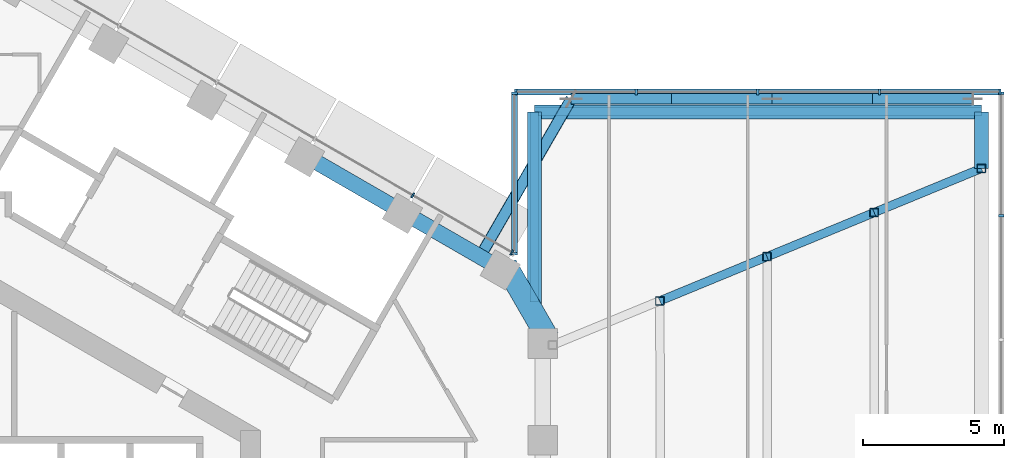
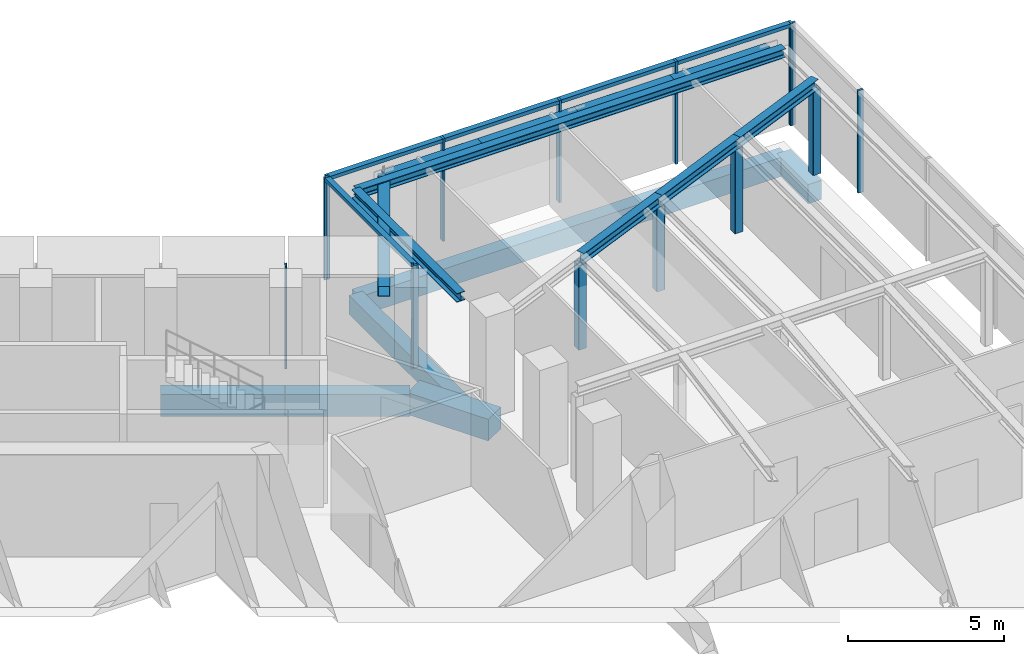
# One storey, part 7 of 24: 22 members, 11 beams, 4 elements without a shape of their own.
"""IFC4 building model written with IfcOpenShell, lengths in metres."""

from ifc_helpers import new_model, si_unit, direction, frame, origin, origin_2d, place, context, subcontext, project, spatial, rectangle, hollow_rectangle, i_section, extrude, material, layer, layer_set, material_profile, profile_set, type_object, element, aggregate, save


model = new_model("IFC4")

# Units and contexts
model_context = context("Model", 3, precision=1e-05, world=origin(), true_north=direction((0.0, 1.0)))
body_context = subcontext(model_context, "Body", "Model", "MODEL_VIEW")
ifc_project = project(units=[si_unit("LENGTHUNIT", "METRE"), si_unit("AREAUNIT", "SQUARE_METRE"), si_unit("VOLUMEUNIT", "CUBIC_METRE"), si_unit("PLANEANGLEUNIT", "RADIAN"), si_unit("MASSUNIT", "GRAM", prefix="KILO")], contexts=[model_context])

# Site, building, storey
site_placement = place(None, origin())
site = spatial("IfcSite", under=ifc_project, at=site_placement, CompositionType="ELEMENT")
building_placement = place(site_placement, origin())
building = spatial("IfcBuilding", under=site, at=building_placement, Name="Ayvan Gate Tower", CompositionType="ELEMENT")
storey_placement = place(building_placement, frame((0.0, 0.0, 128.5)))
storey = spatial("IfcBuildingStorey", under=building, at=storey_placement, Name="L34", CompositionType="ELEMENT", Elevation=128.5)

# Beams
ifc_material_1 = material(Name="Concrete C40/50", Category="concrete")
ifc_material_profile_1 = material_profile(ifc_material_1, rectangle(XDim=0.800048828125, YDim=0.85009765625, at=origin_2d()), Name="RC 800x850")
ifc_profile_set_1 = profile_set([ifc_material_profile_1], Name="Concrete C40/50")
beam_type_1 = type_object("IfcBeamType", Name="Corner spandrel beam RC 800x850 C40/50", PredefinedType="BEAM", material=ifc_profile_set_1)
beam_1_placement = place(storey_placement, frame((19.676025390625, 8.7294921875, -0.824951171875), z_axis=(-0.499990139034, 0.866031096941, 0.0), x_axis=(-0.866031096941, -0.499990139034, 0.0)))
element("IfcBeam", 1, at=beam_1_placement, inside=storey, type_object=beam_type_1, Name="SB-L34-6", PredefinedType="BEAM", context=body_context, shape_type="SweptSolid", body=[
    extrude(rectangle(XDim=0.800048828125, YDim=0.85009765625, at=origin_2d()), origin(), (0.0, 0.0, 1.0), 3.0),
])
ifc_material_profile_2 = material_profile(ifc_material_1, rectangle(XDim=0.5, YDim=0.75, at=origin_2d()), Name="RC 500x750")
ifc_profile_set_2 = profile_set([ifc_material_profile_2], Name="Concrete C40/50")
beam_type_2 = type_object("IfcBeamType", Name="Sky bar edge beam RC 500x750 C40/50", PredefinedType="BEAM", material=ifc_profile_set_2)
beam_2_placement = place(storey_placement, frame((19.185546875, 9.7998046875, -0.77490234375), z_axis=(0.0, 1.0, 0.0), x_axis=(-1.0, 0.0, 0.0)))
element("IfcBeam", 2, at=beam_2_placement, inside=storey, type_object=beam_type_2, Name="EB-B2-L34-1", PredefinedType="BEAM", context=body_context, shape_type="SweptSolid", body=[
    extrude(rectangle(XDim=0.5, YDim=0.75, at=origin_2d()), origin(), (0.0, 0.0, 1.0), 6.9501953125),
])
beam_3_placement = place(storey_placement, frame((19.185546875, 16.75, -0.77490234375), z_axis=(1.0, 0.0, 0.0), x_axis=(0.0, 1.0, 0.0)))
element("IfcBeam", 3, at=beam_3_placement, inside=storey, type_object=beam_type_2, Name="EB-B2-L34-2", PredefinedType="BEAM", context=body_context, shape_type="SweptSolid", body=[
    extrude(rectangle(XDim=0.5, YDim=0.75, at=origin_2d()), origin(), (0.0, 0.0, 1.0), 15.800048828125),
])
beam_4_placement = place(storey_placement, frame((34.985595703125, 16.75, -0.77490234375), z_axis=(0.0, -1.0, 0.0), x_axis=(1.0, 0.0, 0.0)))
element("IfcBeam", 4, at=beam_4_placement, inside=storey, type_object=beam_type_2, Name="EB-B2-L34-3", PredefinedType="BEAM", context=body_context, shape_type="SweptSolid", body=[
    extrude(rectangle(XDim=0.5, YDim=0.75, at=origin_2d()), origin(), (0.0, 0.0, 1.0), 2.0),
])
ifc_material_2 = material(Name="Steel S460ML", Category="steel")
ifc_material_profile_3 = material_profile(ifc_material_2, i_section(OverallWidth=0.300048828125, OverallDepth=0.39990234375, WebThickness=0.013427734375, FlangeThickness=0.02392578125, FilletRadius=0.027099609375, at=origin_2d()), Name="HE 400 B")
ifc_profile_set_3 = profile_set([ifc_material_profile_3], Name="Steel S460ML")
beam_type_3 = type_object("IfcBeamType", Name="Sky bar roof beam B2 HE 400 B", PredefinedType="BEAM", material=ifc_profile_set_3)
beam_5_placement = place(storey_placement, frame((23.6201171875, 10.0673828125, 3.5), z_axis=(0.924589229544, 0.3809655583, 0.0), x_axis=(-0.3809655583, 0.924589229544, 0.0)))
element("IfcBeam", 5, at=beam_5_placement, inside=storey, type_object=beam_type_3, Name="RB-B2-SBT2-4-2", PredefinedType="BEAM", context=body_context, shape_type="SweptSolid", body=[
    extrude(i_section(OverallWidth=0.300048828125, OverallDepth=0.39990234375, WebThickness=0.013427734375, FlangeThickness=0.02392578125, FilletRadius=0.027099609375, at=origin_2d()), origin(), (0.0, 0.0, 1.0), 4.09765625),
])
beam_6_placement = place(storey_placement, frame((27.40869140625, 11.62841796875, 3.5), z_axis=(0.924601569507, 0.380935608292, 0.0), x_axis=(-0.380935608292, 0.924601569507, 0.0)))
element("IfcBeam", 6, at=beam_6_placement, inside=storey, type_object=beam_type_3, Name="RB-B2-SBT2-4-3", PredefinedType="BEAM", context=body_context, shape_type="SweptSolid", body=[
    extrude(i_section(OverallWidth=0.300048828125, OverallDepth=0.39990234375, WebThickness=0.013427734375, FlangeThickness=0.02392578125, FilletRadius=0.027099609375, at=origin_2d()), origin(), (0.0, 0.0, 1.0), 4.09716796875),
])
beam_7_placement = place(storey_placement, frame((31.197021484375, 13.189208984375, 3.5), z_axis=(0.924610215485, 0.380914622219, 0.0), x_axis=(-0.380914622219, 0.924610215485, 0.0)))
element("IfcBeam", 7, at=beam_7_placement, inside=storey, type_object=beam_type_3, Name="RB-B2-SBT2-4-4", PredefinedType="BEAM", context=body_context, shape_type="SweptSolid", body=[
    extrude(i_section(OverallWidth=0.300048828125, OverallDepth=0.39990234375, WebThickness=0.013427734375, FlangeThickness=0.02392578125, FilletRadius=0.027099609375, at=origin_2d()), origin(), (0.0, 0.0, 1.0), 4.097412109375),
])
ifc_material_profile_4 = material_profile(ifc_material_2, i_section(OverallWidth=0.300048828125, OverallDepth=0.340087890625, WebThickness=0.011962890625, FlangeThickness=0.021484375, FilletRadius=0.027099609375, at=origin_2d()), Name="HE 340 B")
ifc_profile_set_4 = profile_set([ifc_material_profile_4], Name="Steel S460ML")
beam_type_4 = type_object("IfcBeamType", Name="Sky bar roof edge beam B2 HE 340 B", PredefinedType="BEAM", material=ifc_profile_set_4)
beam_8_placement = place(storey_placement, frame((19.185546875, 10.0283203125, 3.530029296875), z_axis=(0.0, 1.0, 0.0), x_axis=(-1.0, 0.0, 0.0)))
element("IfcBeam", 8, at=beam_8_placement, inside=storey, type_object=beam_type_4, Name="RE-B2-2-1", PredefinedType="BEAM", context=body_context, shape_type="SweptSolid", body=[
    extrude(i_section(OverallWidth=0.300048828125, OverallDepth=0.340087890625, WebThickness=0.011962890625, FlangeThickness=0.021484375, FilletRadius=0.027099609375, at=origin_2d()), origin(), (0.0, 0.0, 1.0), 6.7216796875),
])
beam_9_placement = place(storey_placement, frame((19.185546875, 16.75, 3.530029296875), z_axis=(1.0, 0.0, 0.0), x_axis=(0.0, 1.0, 0.0)))
element("IfcBeam", 9, at=beam_9_placement, inside=storey, type_object=beam_type_4, Name="RE-B2-2-2", PredefinedType="BEAM", context=body_context, shape_type="SweptSolid", body=[
    extrude(i_section(OverallWidth=0.300048828125, OverallDepth=0.340087890625, WebThickness=0.011962890625, FlangeThickness=0.021484375, FilletRadius=0.027099609375, at=origin_2d()), origin(), (0.0, 0.0, 1.0), 15.800048828125),
])

# Members
ifc_material_3 = material(Name="Steel S460NH", Category="steel")
ifc_material_profile_5 = material_profile(ifc_material_3, hollow_rectangle(XDim=0.300048828125, YDim=0.300048828125, WallThickness=0.012451171875, InnerFilletRadius=0.012451171875, OuterFilletRadius=0.018798828125, at=origin_2d()), Name="RHS 300x300x12.5")
ifc_profile_set_5 = profile_set([ifc_material_profile_5], Name="Steel S460NH")
member_type_1 = type_object("IfcMemberType", Name="Sky bar roof post B2 RHS 300x300x12.5", PredefinedType="POST", material=ifc_profile_set_5)
for number, where, z_axis, x_axis, name in (
    (10, (23.6201171875, 10.0673828125, 0.0), (0.0, 0.0, 1.0), (1.0, 0.0, 0.0), "RP-B2-SBT2-4-2"),
    (11, (27.40869140625, 11.62841796875, 0.0), (0.0, 0.0, 1.0), (1.0, 0.0, 0.0), "RP-B2-SBT2-4-3"),
    (12, (31.197021484375, 13.189208984375, 0.0), (0.0, 0.0, 1.0), (1.0, 0.0, 0.0), "RP-B2-SBT2-4-4"),
    (13, (34.985595703125, 14.75, 0.0), (0.0, 0.0, 1.0), (1.0, 0.0, 0.0), "RP-B2-SBT2-4-5"),
):
    element("IfcMember", number, at=place(storey_placement, frame(where, z_axis=z_axis, x_axis=x_axis)), inside=storey, type_object=member_type_1, Name=name, PredefinedType="POST", context=body_context, shape_type="SweptSolid", body=[
        extrude(hollow_rectangle(XDim=0.300048828125, YDim=0.300048828125, WallThickness=0.012451171875, InnerFilletRadius=0.012451171875, OuterFilletRadius=0.018798828125, at=origin_2d()), origin(), (0.0, 0.0, 1.0), 3.300048828125),
    ])
ifc_material_profile_6 = material_profile(ifc_material_3, hollow_rectangle(XDim=0.39990234375, YDim=0.39990234375, WallThickness=0.01611328125, InnerFilletRadius=0.01611328125, OuterFilletRadius=0.02392578125, at=origin_2d()), Name="RHS 400x400x16")
ifc_profile_set_6 = profile_set([ifc_material_profile_6], Name="Steel S460NH")
member_type_2 = type_object("IfcMemberType", Name="Sky bar truss brace B2 RHS 400x400x16", PredefinedType="BRACE", material=ifc_profile_set_6)
member_1_placement = place(storey_placement, frame((17.33056640625, 11.740478515625, 3.35009765625), z_axis=(0.500004901903, 0.866022573651, 0.0), x_axis=(-0.866022573651, 0.500004901903, 0.0)))
element("IfcMember", 14, at=member_1_placement, inside=storey, type_object=member_type_2, Name="SBX2-A-TC-1", PredefinedType="CHORD", context=body_context, shape_type="SweptSolid", body=[
    extrude(hollow_rectangle(XDim=0.39990234375, YDim=0.39990234375, WallThickness=0.01611328125, InnerFilletRadius=0.01611328125, OuterFilletRadius=0.02392578125, at=origin_2d()), origin(), (0.0, 0.0, 1.0), 6.31005859375),
])
for number, where, z_axis, x_axis, name in (
    (15, (20.485595703125, 17.205078125, 3.35009765625), (1.0, 0.0, 0.0), (0.0, 1.0, 0.0), "SBX2-A-TC-2"),
    (16, (24.03564453125, 17.205078125, 3.35009765625), (1.0, 0.0, 0.0), (0.0, 1.0, 0.0), "SBX2-A-TC-3"),
):
    element("IfcMember", number, at=place(storey_placement, frame(where, z_axis=z_axis, x_axis=x_axis)), inside=storey, type_object=member_type_2, Name=name, PredefinedType="CHORD", context=body_context, shape_type="SweptSolid", body=[
        extrude(hollow_rectangle(XDim=0.39990234375, YDim=0.39990234375, WallThickness=0.01611328125, InnerFilletRadius=0.01611328125, OuterFilletRadius=0.02392578125, at=origin_2d()), origin(), (0.0, 0.0, 1.0), 3.550048828125),
    ])
member_2_placement = place(storey_placement, frame((27.585693359375, 17.205078125, 3.35009765625), z_axis=(1.0, 0.0, 0.0), x_axis=(0.0, 1.0, 0.0)))
element("IfcMember", 17, at=member_2_placement, inside=storey, type_object=member_type_2, Name="SBX2-A-TC-4", PredefinedType="CHORD", context=body_context, shape_type="SweptSolid", body=[
    extrude(hollow_rectangle(XDim=0.39990234375, YDim=0.39990234375, WallThickness=0.01611328125, InnerFilletRadius=0.01611328125, OuterFilletRadius=0.02392578125, at=origin_2d()), origin(), (0.0, 0.0, 1.0), 3.5498046875),
])
member_3_placement = place(storey_placement, frame((31.135498046875, 17.205078125, 3.35009765625), z_axis=(1.0, 0.0, 0.0), x_axis=(0.0, 1.0, 0.0)))
element("IfcMember", 18, at=member_3_placement, inside=storey, type_object=member_type_2, Name="SBX2-A-TC-5", PredefinedType="CHORD", context=body_context, shape_type="SweptSolid", body=[
    extrude(hollow_rectangle(XDim=0.39990234375, YDim=0.39990234375, WallThickness=0.01611328125, InnerFilletRadius=0.01611328125, OuterFilletRadius=0.02392578125, at=origin_2d()), origin(), (0.0, 0.0, 1.0), 3.550048828125),
])

# Beams
ifc_material_profile_7 = material_profile(ifc_material_1, rectangle(XDim=0.550048828125, YDim=0.85009765625, at=origin_2d()), Name="RC 550x850")
ifc_profile_set_7 = profile_set([ifc_material_profile_7], Name="Concrete C40/50")
beam_type_5 = type_object("IfcBeamType", Name="Spandrel beam RC 550x850 C40/50", PredefinedType="BEAM", material=ifc_profile_set_7)
beam_10_placement = place(storey_placement, frame((17.985595703125, 11.217529296875, -0.824951171875), z_axis=(-0.866022420826, 0.500005166599, 0.0), x_axis=(-0.500005166599, -0.866022420826, 0.0)))
element("IfcBeam", 19, at=beam_10_placement, inside=storey, type_object=beam_type_5, Name="SB-L34-7", PredefinedType="BEAM", context=body_context, shape_type="SweptSolid", body=[
    extrude(rectangle(XDim=0.550048828125, YDim=0.85009765625, at=origin_2d()), origin(), (0.0, 0.0, 1.0), 3.98681640625),
])
beam_11_placement = place(storey_placement, frame((14.532958984375, 13.2109375, -0.824951171875), z_axis=(-0.86603772933, 0.499978650921, 0.0), x_axis=(-0.499978650921, -0.86603772933, 0.0)))
element("IfcBeam", 20, at=beam_11_placement, inside=storey, type_object=beam_type_5, Name="SB-L34-8", PredefinedType="BEAM", context=body_context, shape_type="SweptSolid", body=[
    extrude(rectangle(XDim=0.550048828125, YDim=0.85009765625, at=origin_2d()), origin(), (0.0, 0.0, 1.0), 3.987060546875),
])

# Curtain wall, members
ifc_material_4 = material(Name="Bronze anodised aluminium", Category="aluminium")
ifc_layer_1 = layer(ifc_material_4, 0.199951171875)
ifc_layer_set_1 = layer_set([ifc_layer_1], Name="Bronze anodised aluminium")
curtain_wall_type_1 = type_object("IfcCurtainWallType", Name="Stick curtain wall CW-1", PredefinedType="NOTDEFINED", material=ifc_layer_set_1)
curtain_wall_1_placement = place(storey_placement, origin())
curtain_wall_1 = element("IfcCurtainWall", 21, at=curtain_wall_1_placement, inside=storey, type_object=curtain_wall_type_1, Name="Stick curtain wall CW-1 L34", PredefinedType="NOTDEFINED")
ifc_material_profile_8 = material_profile(ifc_material_4, rectangle(XDim=0.199951171875, YDim=0.06005859375, at=origin_2d()), Name="Stick curtain wall CW-1 mullion 200 x 60")
ifc_profile_set_8 = profile_set([ifc_material_profile_8], Name="Bronze anodised aluminium")
member_type_3 = type_object("IfcMemberType", Name="Stick curtain wall CW-1 mullion 200 x 60", PredefinedType="MULLION", material=ifc_profile_set_8)
member_4_placement = place(storey_placement, frame((18.389404296875, 11.776123046875, 0.0), z_axis=(0.0, 0.0, 1.0), x_axis=(0.5, 0.866025403784, 0.0)))
member_4 = element("IfcMember", 22, at=member_4_placement, type_object=member_type_3, Name="CW-1 mullion 1", PredefinedType="MULLION", context=body_context, shape_type="SweptSolid", body=[
    extrude(rectangle(XDim=0.199951171875, YDim=0.06005859375, at=origin_2d()), origin(), (0.0, 0.0, 1.0), 4.0),
])
member_5_placement = place(storey_placement, frame((14.890625, 13.796142578125, 0.0), z_axis=(0.0, 0.0, 1.0), x_axis=(0.5, 0.866025403784, 0.0)))
member_5 = element("IfcMember", 23, at=member_5_placement, type_object=member_type_3, Name="CW-1 mullion 2", PredefinedType="MULLION", context=body_context, shape_type="SweptSolid", body=[
    extrude(rectangle(XDim=0.199951171875, YDim=0.06005859375, at=origin_2d()), origin(), (0.0, 0.0, 1.0), 4.0),
])
aggregate(curtain_wall_1, [member_4, member_5])

ifc_layer_2 = layer(ifc_material_4, 0.199951171875)
ifc_layer_set_2 = layer_set([ifc_layer_2], Name="Bronze anodised aluminium")
curtain_wall_type_2 = type_object("IfcCurtainWallType", Name="Stick curtain wall CW-4", PredefinedType="NOTDEFINED", material=ifc_layer_set_2)
curtain_wall_2_placement = place(storey_placement, origin())
curtain_wall_2 = element("IfcCurtainWall", 24, at=curtain_wall_2_placement, inside=storey, type_object=curtain_wall_type_2, Name="Stick curtain wall CW-4 L34", PredefinedType="NOTDEFINED")
ifc_material_profile_9 = material_profile(ifc_material_4, rectangle(XDim=0.199951171875, YDim=0.080078125, at=origin_2d()), Name="Stick curtain wall CW-4 mullion 200 x 80")
ifc_profile_set_9 = profile_set([ifc_material_profile_9], Name="Bronze anodised aluminium")
member_type_4 = type_object("IfcMemberType", Name="Stick curtain wall CW-4 mullion 200 x 80", PredefinedType="MULLION", material=ifc_profile_set_9)
member_6_placement = place(storey_placement, frame((35.685546875, 13.072265625, 0.0), z_axis=(0.0, 0.0, 1.0), x_axis=(1.0, 0.0, 0.0)))
member_6 = element("IfcMember", 25, at=member_6_placement, type_object=member_type_4, Name="CW-4 mullion 9", PredefinedType="MULLION", context=body_context, shape_type="SweptSolid", body=[
    extrude(rectangle(XDim=0.199951171875, YDim=0.080078125, at=origin_2d()), origin(), (0.0, 0.0, 1.0), 4.0),
])
member_7_placement = place(storey_placement, frame((35.685546875, 17.409912109375, 0.0), z_axis=(0.0, 0.0, 1.0), x_axis=(1.0, 0.0, 0.0)))
member_7 = element("IfcMember", 26, at=member_7_placement, type_object=member_type_4, Name="CW-4 mullion 10", PredefinedType="MULLION", context=body_context, shape_type="SweptSolid", body=[
    extrude(rectangle(XDim=0.199951171875, YDim=0.080078125, at=origin_2d()), origin(), (0.0, 0.0, 1.0), 4.0),
])
aggregate(curtain_wall_2, [member_6, member_7])

curtain_wall_3_placement = place(storey_placement, origin())
curtain_wall_3 = element("IfcCurtainWall", 27, at=curtain_wall_3_placement, inside=storey, type_object=curtain_wall_type_2, Name="Stick curtain wall CW-4 L34", PredefinedType="NOTDEFINED")
member_8_placement = place(storey_placement, frame((35.6455078125, 17.449951171875, 0.0), z_axis=(0.0, 0.0, 1.0), x_axis=(0.0, 1.0, 0.0)))
member_8 = element("IfcMember", 28, at=member_8_placement, type_object=member_type_4, Name="CW-4 mullion 1", PredefinedType="MULLION", context=body_context, shape_type="SweptSolid", body=[
    extrude(rectangle(XDim=0.199951171875, YDim=0.080078125, at=origin_2d()), origin(), (0.0, 0.0, 1.0), 4.0),
])
member_9_placement = place(storey_placement, frame((31.385498046875, 17.449951171875, 0.0), z_axis=(0.0, 0.0, 1.0), x_axis=(0.0, 1.0, 0.0)))
member_9 = element("IfcMember", 29, at=member_9_placement, type_object=member_type_4, Name="CW-4 mullion 2", PredefinedType="MULLION", context=body_context, shape_type="SweptSolid", body=[
    extrude(rectangle(XDim=0.199951171875, YDim=0.080078125, at=origin_2d()), origin(), (0.0, 0.0, 1.0), 4.0),
])
member_10_placement = place(storey_placement, frame((27.085693359375, 17.449951171875, 0.0), z_axis=(0.0, 0.0, 1.0), x_axis=(0.0, 1.0, 0.0)))
member_10 = element("IfcMember", 30, at=member_10_placement, type_object=member_type_4, Name="CW-4 mullion 3", PredefinedType="MULLION", context=body_context, shape_type="SweptSolid", body=[
    extrude(rectangle(XDim=0.199951171875, YDim=0.080078125, at=origin_2d()), origin(), (0.0, 0.0, 1.0), 4.0),
])
member_11_placement = place(storey_placement, frame((22.78564453125, 17.449951171875, 0.0), z_axis=(0.0, 0.0, 1.0), x_axis=(0.0, 1.0, 0.0)))
member_11 = element("IfcMember", 31, at=member_11_placement, type_object=member_type_4, Name="CW-4 mullion 4", PredefinedType="MULLION", context=body_context, shape_type="SweptSolid", body=[
    extrude(rectangle(XDim=0.199951171875, YDim=0.080078125, at=origin_2d()), origin(), (0.0, 0.0, 1.0), 4.0),
])
member_12_placement = place(storey_placement, frame((18.525634765625, 17.449951171875, 0.0), z_axis=(0.0, 0.0, 1.0), x_axis=(0.0, 1.0, 0.0)))
member_12 = element("IfcMember", 32, at=member_12_placement, type_object=member_type_4, Name="CW-4 mullion 5", PredefinedType="MULLION", context=body_context, shape_type="SweptSolid", body=[
    extrude(rectangle(XDim=0.199951171875, YDim=0.080078125, at=origin_2d()), origin(), (0.0, 0.0, 1.0), 4.0),
])

curtain_wall_4_placement = place(storey_placement, origin())
curtain_wall_4 = element("IfcCurtainWall", 33, at=curtain_wall_4_placement, inside=storey, type_object=curtain_wall_type_2, Name="Stick curtain wall CW-4 L34", PredefinedType="NOTDEFINED")
member_13_placement = place(storey_placement, frame((18.485595703125, 17.409912109375, 0.0), z_axis=(0.0, 0.0, 1.0), x_axis=(-1.0, 0.0, 0.0)))
member_13 = element("IfcMember", 34, at=member_13_placement, type_object=member_type_4, Name="CW-4 mullion 1", PredefinedType="MULLION", context=body_context, shape_type="SweptSolid", body=[
    extrude(rectangle(XDim=0.199951171875, YDim=0.080078125, at=origin_2d()), origin(), (0.0, 0.0, 1.0), 4.0),
])
member_14_placement = place(storey_placement, frame((18.485595703125, 11.73095703125, 0.0), z_axis=(0.0, 0.0, 1.0), x_axis=(-1.0, 0.0, 0.0)))
member_14 = element("IfcMember", 35, at=member_14_placement, type_object=member_type_4, Name="CW-4 mullion 2", PredefinedType="MULLION", context=body_context, shape_type="SweptSolid", body=[
    extrude(rectangle(XDim=0.199951171875, YDim=0.080078125, at=origin_2d()), origin(), (0.0, 0.0, 1.0), 4.0),
])

# Member
ifc_material_profile_10 = material_profile(ifc_material_4, rectangle(XDim=0.199951171875, YDim=0.139892578125, at=origin_2d()), Name="Stick curtain wall CW-4 transom 200 x 140")
ifc_profile_set_10 = profile_set([ifc_material_profile_10], Name="Bronze anodised aluminium")
member_type_5 = type_object("IfcMemberType", Name="Stick curtain wall CW-4 transom 200 x 140", PredefinedType="USERDEFINED", material=ifc_profile_set_10)
member_15_placement = place(storey_placement, frame((35.6455078125, 17.449951171875, 3.929931640625), z_axis=(-1.0, 0.0, 0.0), x_axis=(0.0, -1.0, 0.0)))
member_15 = element("IfcMember", 36, at=member_15_placement, type_object=member_type_5, Name="CW-4 transom 1", ObjectType="TRANSOM", PredefinedType="USERDEFINED", context=body_context, shape_type="SweptSolid", body=[
    extrude(rectangle(XDim=0.199951171875, YDim=0.139892578125, at=origin_2d()), origin(), (0.0, 0.0, 1.0), 17.119873046875),
])

aggregate(curtain_wall_3, [member_8, member_9, member_10, member_11, member_12, member_15])

member_16_placement = place(storey_placement, frame((18.485595703125, 17.409912109375, 3.929931640625), z_axis=(0.0, -1.0, 0.0), x_axis=(1.0, 0.0, 0.0)))
member_16 = element("IfcMember", 37, at=member_16_placement, type_object=member_type_5, Name="CW-4 transom 1", ObjectType="TRANSOM", PredefinedType="USERDEFINED", context=body_context, shape_type="SweptSolid", body=[
    extrude(rectangle(XDim=0.199951171875, YDim=0.139892578125, at=origin_2d()), origin(), (0.0, 0.0, 1.0), 5.678955078125),
])

aggregate(curtain_wall_4, [member_13, member_14, member_16])

save(model, "model.ifc")
